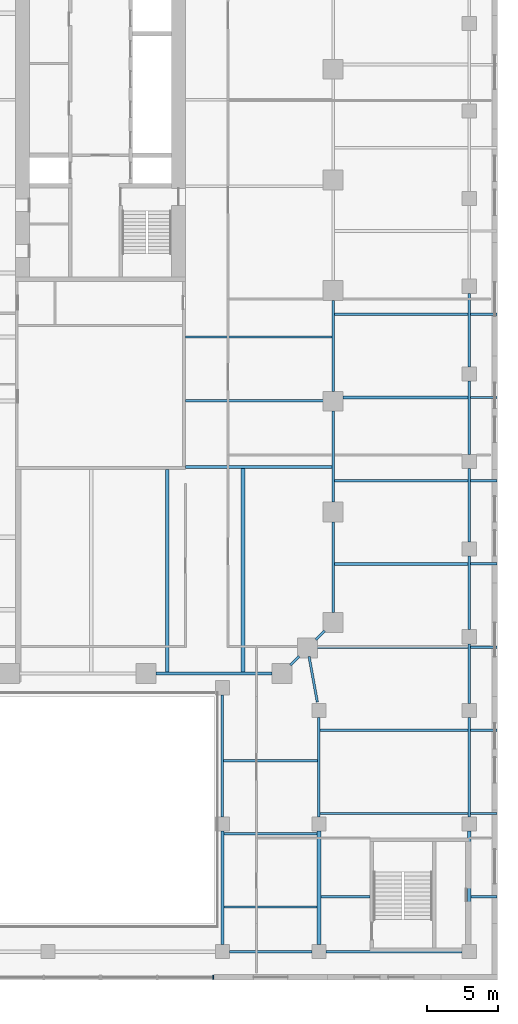
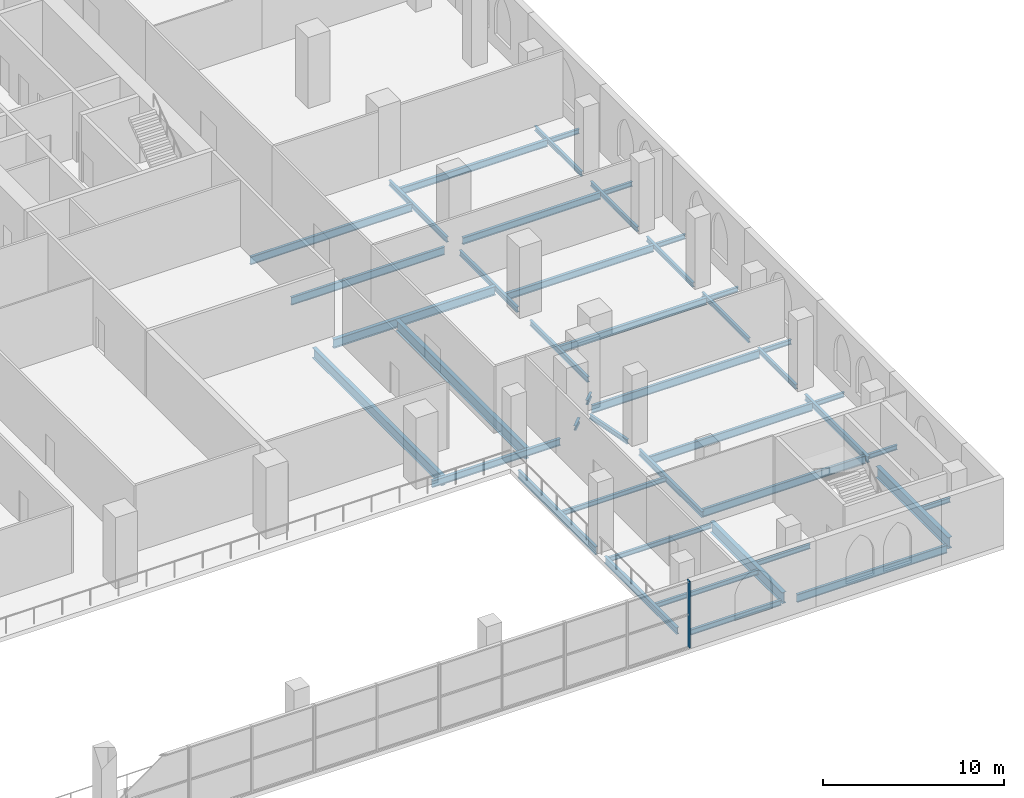
# One storey, part 5 of 19: 44 beams, 1 member, 1 element without a shape of its own.
"""IFC4 building model written with IfcOpenShell, lengths in metres."""

import ifcopenshell
import ifcopenshell.guid

model = None  # the IFC model being written
_history = None  # IfcOwnerHistory: only IFC2X3 demands one
_inside = {}  # id of a spatial element -> (the spatial element, [elements in it])
_under = {}  # id of a project, library or spatial element -> (it, [spatial elements below it])
_declared = {}  # id of a project -> (the project, [libraries it declares])
_typed = {}  # id of a type object -> (the type object, [elements of that type])
_made_of = {}  # id of a material, layer set ... -> (it, [elements and type objects made of it])


def new_model(schema):
    """Start an empty IFC model of exactly this schema.

    Asked for "IFC4X3", IfcOpenShell would pick the latest addendum, in which some entities
    have other attributes; the version numbers below select the first issue.
    IFC2X3 requires an IfcOwnerHistory on every rooted entity: one is made here for all.
    """
    global model, _history
    if schema == "IFC4X3":
        model = ifcopenshell.file(schema_version=(4, 3, 0, 0))
    else:
        model = ifcopenshell.file(schema=schema)
    _inside.clear()
    _under.clear()
    _declared.clear()
    _typed.clear()
    _made_of.clear()
    _history = None
    if model.schema == "IFC2X3":
        org = make("IfcOrganization", Name="unknown")
        user = make(
            "IfcPersonAndOrganization",
            ThePerson=make("IfcPerson", FamilyName="unknown"),
            TheOrganization=org,
        )
        app = make(
            "IfcApplication",
            ApplicationDeveloper=org,
            Version="unknown",
            ApplicationFullName="unknown",
            ApplicationIdentifier="unknown",
        )
        _history = make(
            "IfcOwnerHistory",
            OwningUser=user,
            OwningApplication=app,
            ChangeAction="ADDED",
            CreationDate=0,
        )
    return model


def make(cls, **values):
    """One entity of the class cls with the attributes given. An attribute that is None is left unset."""
    return model.create_entity(
        cls, **{name: value for name, value in values.items() if value is not None}
    )


def rooted(cls, **values):
    """An entity with a GlobalId (a new one), such as an element, a storey or a relation."""
    return make(cls, GlobalId=ifcopenshell.guid.new(), OwnerHistory=_history, **values)


def si_unit(unit_type, name, prefix=None):
    """IfcSIUnit, for example si_unit("LENGTHUNIT", "METRE", prefix="MILLI")."""
    return make("IfcSIUnit", UnitType=unit_type, Prefix=prefix, Name=name)


def assignment(units):
    """IfcUnitAssignment: the units of a project."""
    return None if units is None else make("IfcUnitAssignment", Units=units)


def point(xyz):
    """IfcCartesianPoint."""
    return None if xyz is None else make("IfcCartesianPoint", Coordinates=xyz)


def direction(xyz):
    """IfcDirection."""
    return None if xyz is None else make("IfcDirection", DirectionRatios=xyz)


def frame(location, z_axis=None, x_axis=None):
    """IfcAxis2Placement3D, a coordinate frame: its origin and axes. An axis left out is left unset."""
    return make(
        "IfcAxis2Placement3D",
        Location=point(location),
        Axis=direction(z_axis),
        RefDirection=direction(x_axis),
    )


def frame_2d(location, x_axis=None):
    """IfcAxis2Placement2D, a coordinate frame in the plane: its origin and x axis."""
    return make(
        "IfcAxis2Placement2D", Location=point(location), RefDirection=direction(x_axis)
    )


def origin():
    """The frame at (0, 0, 0) with its axes left unset."""
    return frame((0.0, 0.0, 0.0))


def origin_2d():
    """The frame at (0, 0) in the plane with its x axis left unset."""
    return frame_2d((0.0, 0.0))


def place(relative_to, where):
    """IfcLocalPlacement: puts the frame where relative to a parent placement (None: the world)."""
    return make(
        "IfcLocalPlacement", PlacementRelTo=relative_to, RelativePlacement=where
    )


def context(
    kind, dimensions, precision=None, world=None, true_north=None, identifier=None
):
    """IfcGeometricRepresentationContext, for example the 3D "Model" context."""
    return make(
        "IfcGeometricRepresentationContext",
        ContextIdentifier=identifier,
        ContextType=kind,
        CoordinateSpaceDimension=dimensions,
        Precision=precision,
        WorldCoordinateSystem=world,
        TrueNorth=true_north,
    )


def subcontext(parent, identifier, kind, view, scale=None):
    """IfcGeometricRepresentationSubContext, for example "Body" below "Model"."""
    return make(
        "IfcGeometricRepresentationSubContext",
        ContextIdentifier=identifier,
        ContextType=kind,
        ParentContext=parent,
        TargetScale=scale,
        TargetView=view,
    )


def project(units=None, contexts=None):
    """IfcProject with its units and contexts."""
    return rooted(
        "IfcProject",
        Name="project",
        RepresentationContexts=contexts,
        UnitsInContext=assignment(units),
    )


def spatial(cls, under=None, at=None, **own):
    """A site, building, storey or space (cls), placed at a placement, below another one or the project."""
    s = rooted(cls, ObjectPlacement=at, **own)
    if under is not None:
        _under.setdefault(under.id(), (under, []))[1].append(s)
    return s


def profile(cls, at=None, kind="AREA", **sizes):
    """A parametric profile (cls). Its sizes go by their IFC names, for example OverallWidth=200.0."""
    return make(cls, ProfileType=kind, Position=at, **sizes)


def rectangle(**sizes):
    """IfcRectangleProfileDef."""
    return profile("IfcRectangleProfileDef", **sizes)


def i_section(**sizes):
    """IfcIShapeProfileDef."""
    return profile("IfcIShapeProfileDef", **sizes)


def extrude(swept, where, along, depth):
    """IfcExtrudedAreaSolid: the profile swept, set in the frame where, extruded along a direction by depth."""
    return make(
        "IfcExtrudedAreaSolid",
        SweptArea=swept,
        Position=where,
        ExtrudedDirection=direction(along),
        Depth=depth,
    )


def shape(context_of_items, identifier, shape_type, items):
    """IfcShapeRepresentation: the items that make up one representation, for example the "Body"."""
    return make(
        "IfcShapeRepresentation",
        ContextOfItems=context_of_items,
        RepresentationIdentifier=identifier,
        RepresentationType=shape_type,
        Items=items,
    )


def material(Name=None, Category=None):
    """IfcMaterial."""
    return make("IfcMaterial", Name=Name, Category=Category)


def material_profile(
    of_material, cross_section, Name=None, Category=None, Priority=None
):
    """IfcMaterialProfile: a cross section and its material."""
    return make(
        "IfcMaterialProfile",
        Name=Name,
        Material=of_material,
        Profile=cross_section,
        Priority=Priority,
        Category=Category,
    )


def profile_set(profiles, Name=None, composite=None):
    """IfcMaterialProfileSet."""
    return make(
        "IfcMaterialProfileSet",
        Name=Name,
        MaterialProfiles=profiles,
        CompositeProfile=composite,
    )


def made_of(thing, what):
    """Note that an element or type object is made of a material, layer set ...; save() writes the relation."""
    if what is not None:
        _made_of.setdefault(what.id(), (what, []))[1].append(thing)
    return thing


def type_object(cls, material=None, **own):
    """A type object (cls), such as IfcWallType, which elements share."""
    return made_of(rooted(cls, **own), material)


def element(
    cls,
    number,
    at=None,
    inside=None,
    cuts=None,
    type_object=None,
    material=None,
    context=None,
    identifier="Body",
    shape_type=None,
    held_by="IfcProductDefinitionShape",
    body=None,
    shapes=None,
    **own,
):
    """One element of the class cls, such as IfcWall. Its Tag is "e" and its number.

    at: its placement. inside: the storey or other place that contains it. cuts: it is an
    opening in that element (IfcRelVoidsElement). A single representation is given by context,
    identifier, shape_type and body (its items); several are given by shapes. held_by: the class
    of the entity that holds the representations. save() writes the other relations.
    """
    e = rooted(cls, Tag="e%d" % number, ObjectPlacement=at, **own)
    if body is not None:
        shapes = [shape(context, identifier, shape_type, body)]
    if shapes is not None:
        e.Representation = make(held_by, Representations=shapes)
    if inside is not None:
        _inside.setdefault(inside.id(), (inside, []))[1].append(e)
    if cuts is not None:
        rooted(
            "IfcRelVoidsElement", RelatingBuildingElement=cuts, RelatedOpeningElement=e
        )
    if type_object is not None:
        _typed.setdefault(type_object.id(), (type_object, []))[1].append(e)
    return made_of(e, material)


def aggregate(whole, parts):
    """IfcRelAggregates: a whole, such as a stair, and the parts it consists of."""
    return rooted("IfcRelAggregates", RelatingObject=whole, RelatedObjects=parts)


def save(model, path):
    """Write the relations noted so far, then the file.

    IfcRelAggregates (storeys below a building ...), IfcRelContainedInSpatialStructure (elements
    in a storey), IfcRelDefinesByType, IfcRelAssociatesMaterial and IfcRelDeclares: one each for
    every whole, place, type object, material and project.
    """
    for whole, parts in _under.values():
        aggregate(whole, parts)
    for where, things in _inside.values():
        rooted(
            "IfcRelContainedInSpatialStructure",
            RelatedElements=things,
            RelatingStructure=where,
        )
    for kind, things in _typed.values():
        rooted("IfcRelDefinesByType", RelatedObjects=things, RelatingType=kind)
    for what, things in _made_of.values():
        rooted("IfcRelAssociatesMaterial", RelatedObjects=things, RelatingMaterial=what)
    for by, libraries in _declared.values():
        rooted("IfcRelDeclares", RelatingContext=by, RelatedDefinitions=libraries)
    model.write(path)


model = new_model("IFC4")

# Units and contexts
model_context = context("Model", 3, precision=1e-05, world=origin(), true_north=direction((0.0, 1.0)))
body_context = subcontext(model_context, "Body", "Model", "MODEL_VIEW")
ifc_project = project(units=[si_unit("LENGTHUNIT", "METRE"), si_unit("AREAUNIT", "SQUARE_METRE"), si_unit("VOLUMEUNIT", "CUBIC_METRE"), si_unit("PLANEANGLEUNIT", "RADIAN"), si_unit("MASSUNIT", "GRAM", prefix="KILO")], contexts=[model_context])

# Site, building, storey
site_placement = place(None, origin())
site = spatial("IfcSite", under=ifc_project, at=site_placement, CompositionType="ELEMENT")
building_placement = place(site_placement, origin())
building = spatial("IfcBuilding", under=site, at=building_placement, Name="Ogive Exchange Tower", CompositionType="ELEMENT")
storey_placement = place(building_placement, frame((0.0, 0.0, 19.199951171875)))
storey = spatial("IfcBuildingStorey", under=building, at=storey_placement, Name="L03", CompositionType="ELEMENT", Elevation=19.199951171875)

# Beams
ifc_material_1 = material(Name="Steel ASTM A992 Gr50", Category="steel")
ifc_material_profile_1 = material_profile(ifc_material_1, i_section(OverallWidth=0.1650390625, OverallDepth=0.31005859375, WebThickness=0.005859375, FlangeThickness=0.009765625, at=origin_2d()), Name="W310x38.7")
ifc_profile_set_1 = profile_set([ifc_material_profile_1], Name="Steel ASTM A992 Gr50")
beam_type_1 = type_object("IfcBeamType", Name="Floor beam W310x38.7", PredefinedType="JOIST", material=ifc_profile_set_1)
beam_1_placement = place(storey_placement, frame((31.533447265625, -46.13330078125, -0.454833984375), z_axis=(1.0, 0.0, 0.0), x_axis=(0.0, 1.0, 0.0)))
element("IfcBeam", 1, at=beam_1_placement, inside=storey, type_object=beam_type_1, Name="Floor beam", PredefinedType="JOIST", context=body_context, shape_type="SweptSolid", body=[
    extrude(i_section(OverallWidth=0.1650390625, OverallDepth=0.31005859375, WebThickness=0.005859375, FlangeThickness=0.009765625, at=origin_2d()), origin(), (0.0, 0.0, 1.0), 3.466552734375),
])
beam_2_placement = place(storey_placement, frame((42.133544921875, -46.13330078125, -0.454833984375), z_axis=(1.0, 0.0, 0.0), x_axis=(0.0, 1.0, 0.0)))
element("IfcBeam", 2, at=beam_2_placement, inside=storey, type_object=beam_type_1, Name="Floor beam", PredefinedType="JOIST", context=body_context, shape_type="SweptSolid", body=[
    extrude(i_section(OverallWidth=0.1650390625, OverallDepth=0.31005859375, WebThickness=0.005859375, FlangeThickness=0.009765625, at=origin_2d()), origin(), (0.0, 0.0, 1.0), 1.81640625),
])
for number, where, z_axis, x_axis, name in (
    (3, (42.089111328125, -40.2666015625, -0.454833984375), (1.0, 0.0, 0.0), (0.0, 1.0, 0.0), "Floor beam"),
    (4, (42.089111328125, -34.39990234375, -0.454833984375), (1.0, 0.0, 0.0), (0.0, 1.0, 0.0), "Floor beam"),
):
    element("IfcBeam", number, at=place(storey_placement, frame(where, z_axis=z_axis, x_axis=x_axis)), inside=storey, type_object=beam_type_1, Name=name, PredefinedType="JOIST", context=body_context, shape_type="SweptSolid", body=[
        extrude(i_section(OverallWidth=0.1650390625, OverallDepth=0.31005859375, WebThickness=0.005859375, FlangeThickness=0.009765625, at=origin_2d()), origin(), (0.0, 0.0, 1.0), 1.86083984375),
    ])
for number, where, z_axis, x_axis, name in (
    (5, (42.08251953125, -28.533203125, -0.454833984375), (1.0, 0.0, 0.0), (0.0, 1.0, 0.0), "Floor beam"),
    (6, (42.08251953125, -22.666748046875, -0.454833984375), (1.0, 0.0, 0.0), (0.0, 1.0, 0.0), "Floor beam"),
    (7, (42.08251953125, -16.800048828125, -0.454833984375), (1.0, 0.0, 0.0), (0.0, 1.0, 0.0), "Floor beam"),
    (8, (42.08251953125, -10.933349609375, -0.454833984375), (1.0, 0.0, 0.0), (0.0, 1.0, 0.0), "Floor beam"),
    (9, (42.08251953125, -5.066650390625, -0.454833984375), (1.0, 0.0, 0.0), (0.0, 1.0, 0.0), "Floor beam"),
):
    element("IfcBeam", number, at=place(storey_placement, frame(where, z_axis=z_axis, x_axis=x_axis)), inside=storey, type_object=beam_type_1, Name=name, PredefinedType="JOIST", context=body_context, shape_type="SweptSolid", body=[
        extrude(i_section(OverallWidth=0.1650390625, OverallDepth=0.31005859375, WebThickness=0.005859375, FlangeThickness=0.009765625, at=origin_2d()), origin(), (0.0, 0.0, 1.0), 1.867431640625),
    ])
for number, where, z_axis, x_axis, name in (
    (10, (24.695556640625, -46.85009765625, -0.454833984375), (1.0, 0.0, 0.0), (0.0, 1.0, 0.0), "Floor beam"),
    (11, (24.695556640625, -41.699951171875, -0.454833984375), (1.0, 0.0, 0.0), (0.0, 1.0, 0.0), "Floor beam"),
):
    element("IfcBeam", number, at=place(storey_placement, frame(where, z_axis=z_axis, x_axis=x_axis)), inside=storey, type_object=beam_type_1, Name=name, PredefinedType="JOIST", context=body_context, shape_type="SweptSolid", body=[
        extrude(i_section(OverallWidth=0.1650390625, OverallDepth=0.31005859375, WebThickness=0.005859375, FlangeThickness=0.009765625, at=origin_2d()), origin(), (0.0, 0.0, 1.0), 6.571044921875),
    ])
beam_3_placement = place(storey_placement, frame((24.68359375, -36.550048828125, -0.454833984375), z_axis=(1.0, 0.0, 0.0), x_axis=(0.0, 1.0, 0.0)))
element("IfcBeam", 12, at=beam_3_placement, inside=storey, type_object=beam_type_1, Name="Floor beam", PredefinedType="JOIST", context=body_context, shape_type="SweptSolid", body=[
    extrude(i_section(OverallWidth=0.1650390625, OverallDepth=0.31005859375, WebThickness=0.005859375, FlangeThickness=0.009765625, at=origin_2d()), origin(), (0.0, 0.0, 1.0), 6.62744140625),
])
ifc_material_profile_2 = material_profile(ifc_material_1, i_section(OverallWidth=0.19091796875, OverallDepth=0.45703125, WebThickness=0.009033203125, FlangeThickness=0.014404296875, at=origin_2d()), Name="W460x74")
ifc_profile_set_2 = profile_set([ifc_material_profile_2], Name="Steel ASTM A992 Gr50")
beam_type_2 = type_object("IfcBeamType", Name="Floor beam W460x74", PredefinedType="JOIST", material=ifc_profile_set_2)
for number, where, z_axis, x_axis, name in (
    (13, (32.485595703125, -22.666748046875, -0.528564453125), (1.0, 0.0, 0.0), (0.0, 1.0, 0.0), "Floor beam"),
    (14, (32.485595703125, -16.800048828125, -0.528564453125), (1.0, 0.0, 0.0), (0.0, 1.0, 0.0), "Floor beam"),
):
    element("IfcBeam", number, at=place(storey_placement, frame(where, z_axis=z_axis, x_axis=x_axis)), inside=storey, type_object=beam_type_2, Name=name, PredefinedType="JOIST", context=body_context, shape_type="SweptSolid", body=[
        extrude(i_section(OverallWidth=0.19091796875, OverallDepth=0.45703125, WebThickness=0.009033203125, FlangeThickness=0.014404296875, at=origin_2d()), origin(), (0.0, 0.0, 1.0), 9.431884765625),
    ])
beam_4_placement = place(storey_placement, frame((33.10009765625, -10.933349609375, -0.528564453125), z_axis=(1.0, 0.0, 0.0), x_axis=(0.0, 1.0, 0.0)))
element("IfcBeam", 15, at=beam_4_placement, inside=storey, type_object=beam_type_2, Name="Floor beam", PredefinedType="JOIST", context=body_context, shape_type="SweptSolid", body=[
    extrude(i_section(OverallWidth=0.19091796875, OverallDepth=0.45703125, WebThickness=0.009033203125, FlangeThickness=0.014404296875, at=origin_2d()), origin(), (0.0, 0.0, 1.0), 8.8173828125),
])
beam_5_placement = place(storey_placement, frame((32.485595703125, -5.066650390625, -0.528564453125), z_axis=(1.0, 0.0, 0.0), x_axis=(0.0, 1.0, 0.0)))
element("IfcBeam", 16, at=beam_5_placement, inside=storey, type_object=beam_type_2, Name="Floor beam", PredefinedType="JOIST", context=body_context, shape_type="SweptSolid", body=[
    extrude(i_section(OverallWidth=0.19091796875, OverallDepth=0.45703125, WebThickness=0.009033203125, FlangeThickness=0.014404296875, at=origin_2d()), origin(), (0.0, 0.0, 1.0), 9.431884765625),
])
ifc_material_profile_3 = material_profile(ifc_material_1, i_section(OverallWidth=0.1669921875, OverallDepth=0.535888671875, WebThickness=0.01025390625, FlangeThickness=0.0166015625, at=origin_2d()), Name="W530x85")
ifc_profile_set_3 = profile_set([ifc_material_profile_3], Name="Steel ASTM A992 Gr50")
beam_type_3 = type_object("IfcBeamType", Name="Floor beam W530x85", PredefinedType="JOIST", material=ifc_profile_set_3)
beam_6_placement = place(storey_placement, frame((22.0, -11.17822265625, -0.56787109375), z_axis=(1.0, 0.0, 0.0), x_axis=(0.0, 1.0, 0.0)))
element("IfcBeam", 17, at=beam_6_placement, inside=storey, type_object=beam_type_3, Name="Floor beam", PredefinedType="JOIST", context=body_context, shape_type="SweptSolid", body=[
    extrude(i_section(OverallWidth=0.1669921875, OverallDepth=0.535888671875, WebThickness=0.01025390625, FlangeThickness=0.0166015625, at=origin_2d()), origin(), (0.0, 0.0, 1.0), 9.800048828125),
])
beam_7_placement = place(storey_placement, frame((22.0, -6.666748046875, -0.56787109375), z_axis=(1.0, 0.0, 0.0), x_axis=(0.0, 1.0, 0.0)))
element("IfcBeam", 18, at=beam_7_placement, inside=storey, type_object=beam_type_3, Name="Floor beam", PredefinedType="JOIST", context=body_context, shape_type="SweptSolid", body=[
    extrude(i_section(OverallWidth=0.1669921875, OverallDepth=0.535888671875, WebThickness=0.01025390625, FlangeThickness=0.0166015625, at=origin_2d()), origin(), (0.0, 0.0, 1.0), 10.344970703125),
])
for number, where, z_axis, x_axis, name in (
    (19, (31.489013671875, -40.2666015625, -0.56787109375), (1.0, 0.0, 0.0), (0.0, 1.0, 0.0), "Floor beam"),
    (20, (31.489013671875, -34.39990234375, -0.56787109375), (1.0, 0.0, 0.0), (0.0, 1.0, 0.0), "Floor beam"),
):
    element("IfcBeam", number, at=place(storey_placement, frame(where, z_axis=z_axis, x_axis=x_axis)), inside=storey, type_object=beam_type_3, Name=name, PredefinedType="JOIST", context=body_context, shape_type="SweptSolid", body=[
        extrude(i_section(OverallWidth=0.1669921875, OverallDepth=0.535888671875, WebThickness=0.01025390625, FlangeThickness=0.0166015625, at=origin_2d()), origin(), (0.0, 0.0, 1.0), 10.421875),
    ])
beam_8_placement = place(storey_placement, frame((31.199951171875, -28.533203125, -0.56787109375), z_axis=(1.0, 0.0, 0.0), x_axis=(0.0, 1.0, 0.0)))
element("IfcBeam", 21, at=beam_8_placement, inside=storey, type_object=beam_type_3, Name="Floor beam", PredefinedType="JOIST", context=body_context, shape_type="SweptSolid", body=[
    extrude(i_section(OverallWidth=0.1669921875, OverallDepth=0.535888671875, WebThickness=0.01025390625, FlangeThickness=0.0166015625, at=origin_2d()), origin(), (0.0, 0.0, 1.0), 10.717529296875),
])
ifc_material_profile_4 = material_profile(ifc_material_1, i_section(OverallWidth=0.25390625, OverallDepth=0.68310546875, WebThickness=0.012451171875, FlangeThickness=0.018798828125, at=origin_2d()), Name="W690x140")
ifc_profile_set_4 = profile_set([ifc_material_profile_4], Name="Steel ASTM A992 Gr50")
beam_type_4 = type_object("IfcBeamType", Name="Floor beam W690x140", PredefinedType="JOIST", material=ifc_profile_set_4)
beam_9_placement = place(storey_placement, frame((20.699951171875, -30.304443359375, -0.641357421875), z_axis=(0.0, 1.0, 0.0), x_axis=(-1.0, 0.0, 0.0)))
element("IfcBeam", 22, at=beam_9_placement, inside=storey, type_object=beam_type_4, Name="Floor beam", PredefinedType="JOIST", context=body_context, shape_type="SweptSolid", body=[
    extrude(i_section(OverallWidth=0.25390625, OverallDepth=0.68310546875, WebThickness=0.012451171875, FlangeThickness=0.018798828125, at=origin_2d()), origin(), (0.0, 0.0, 1.0), 14.304443359375),
])
ifc_material_profile_5 = material_profile(ifc_material_1, i_section(OverallWidth=0.26708984375, OverallDepth=0.75390625, WebThickness=0.01318359375, FlangeThickness=0.01708984375, at=origin_2d()), Name="W760x147")
ifc_profile_set_5 = profile_set([ifc_material_profile_5], Name="Steel ASTM A992 Gr50")
beam_type_5 = type_object("IfcBeamType", Name="Floor beam W760x147", PredefinedType="JOIST", material=ifc_profile_set_5)
beam_10_placement = place(storey_placement, frame((26.050048828125, -30.304443359375, -0.677001953125), z_axis=(0.0, 1.0, 0.0), x_axis=(-1.0, 0.0, 0.0)))
element("IfcBeam", 23, at=beam_10_placement, inside=storey, type_object=beam_type_5, Name="Floor beam", PredefinedType="JOIST", context=body_context, shape_type="SweptSolid", body=[
    extrude(i_section(OverallWidth=0.26708984375, OverallDepth=0.75390625, WebThickness=0.01318359375, FlangeThickness=0.01708984375, at=origin_2d()), origin(), (0.0, 0.0, 1.0), 14.345458984375),
])

# Curtain wall, member
ifc_material_2 = material(Name="Anodised aluminium and clear glass", Category="aluminium")
curtain_wall_type = type_object("IfcCurtainWallType", Name="Galleria end wall glazing", PredefinedType="NOTDEFINED", material=ifc_material_2)
curtain_wall_placement = place(storey_placement, origin())
curtain_wall = element("IfcCurtainWall", 24, at=curtain_wall_placement, inside=storey, type_object=curtain_wall_type, Name="Galleria end wall glazing run GE9", PredefinedType="NOTDEFINED")
ifc_material_3 = material(Name="Anodised aluminium", Category="aluminium")
ifc_material_profile_6 = material_profile(ifc_material_3, rectangle(XDim=0.260009765625, YDim=0.080078125, at=origin_2d()), Name="AL 80x260")
ifc_profile_set_6 = profile_set([ifc_material_profile_6], Name="Anodised aluminium")
member_type = type_object("IfcMemberType", Name="Galleria end wall glazing mullion 80 x 260", PredefinedType="MULLION", material=ifc_profile_set_6)
member_placement = place(storey_placement, frame((23.9599609375, -51.800048828125, 0.0), z_axis=(0.0, 0.0, 1.0), x_axis=(0.0, 1.0, 0.0)))
member = element("IfcMember", 25, at=member_placement, type_object=member_type, Name="GE9 mullion 3", PredefinedType="MULLION", context=body_context, shape_type="SweptSolid", body=[
    extrude(rectangle(XDim=0.260009765625, YDim=0.080078125, at=origin_2d()), origin(), (0.0, 0.0, 1.0), 4.5),
])
aggregate(curtain_wall, [member])

# Beams
ifc_material_profile_7 = material_profile(ifc_material_1, i_section(OverallWidth=0.1650390625, OverallDepth=0.31005859375, WebThickness=0.005859375, FlangeThickness=0.009765625, at=origin_2d()), Name="W310x38.7")
ifc_profile_set_7 = profile_set([ifc_material_profile_7], Name="Steel ASTM A992 Gr50")
beam_type_6 = type_object("IfcBeamType", Name="Girder W310x38.7", PredefinedType="BEAM", material=ifc_profile_set_7)
for number, where, z_axis, x_axis, name in (
    (26, (29.39404296875, -29.805908203125, -0.454833984375), (0.707247821729, 0.706965712506, 0.0), (-0.706965712506, 0.707247821729, 0.0), "Girder"),
    (27, (31.194091796875, -28.006103515625, -0.454833984375), (0.706965712506, 0.707247821729, 0.0), (-0.707247821729, 0.706965712506, 0.0), "Girder"),
):
    element("IfcBeam", number, at=place(storey_placement, frame(where, z_axis=z_axis, x_axis=x_axis)), inside=storey, type_object=beam_type_6, Name=name, PredefinedType="BEAM", context=body_context, shape_type="SweptSolid", body=[
        extrude(i_section(OverallWidth=0.1650390625, OverallDepth=0.31005859375, WebThickness=0.005859375, FlangeThickness=0.009765625, at=origin_2d()), origin(), (0.0, 0.0, 1.0), 0.865478515625),
    ])
beam_11_placement = place(storey_placement, frame((31.292724609375, -32.40966796875, -0.454833984375), z_axis=(-0.178911700404, 0.983865134792, 0.0), x_axis=(-0.983865134792, -0.178911700404, 0.0)))
element("IfcBeam", 28, at=beam_11_placement, inside=storey, type_object=beam_type_6, Name="Girder", PredefinedType="BEAM", context=body_context, shape_type="SweptSolid", body=[
    extrude(i_section(OverallWidth=0.1650390625, OverallDepth=0.31005859375, WebThickness=0.005859375, FlangeThickness=0.009765625, at=origin_2d()), origin(), (0.0, 0.0, 1.0), 3.272216796875),
])
beam_12_placement = place(storey_placement, frame((42.0, -32.5, -0.454833984375), z_axis=(0.0, 1.0, 0.0), x_axis=(-1.0, 0.0, 0.0)))
element("IfcBeam", 29, at=beam_12_placement, inside=storey, type_object=beam_type_6, Name="Girder", PredefinedType="BEAM", context=body_context, shape_type="SweptSolid", body=[
    extrude(i_section(OverallWidth=0.1650390625, OverallDepth=0.31005859375, WebThickness=0.005859375, FlangeThickness=0.009765625, at=origin_2d()), origin(), (0.0, 0.0, 1.0), 4.199951171875),
])
beam_13_placement = place(storey_placement, frame((42.0, -27.300048828125, -0.454833984375), z_axis=(0.0, 1.0, 0.0), x_axis=(-1.0, 0.0, 0.0)))
element("IfcBeam", 30, at=beam_13_placement, inside=storey, type_object=beam_type_6, Name="Girder", PredefinedType="BEAM", context=body_context, shape_type="SweptSolid", body=[
    extrude(i_section(OverallWidth=0.1650390625, OverallDepth=0.31005859375, WebThickness=0.005859375, FlangeThickness=0.009765625, at=origin_2d()), origin(), (0.0, 0.0, 1.0), 5.179931640625),
])
beam_14_placement = place(storey_placement, frame((42.0, -21.1201171875, -0.454833984375), z_axis=(0.0, 1.0, 0.0), x_axis=(-1.0, 0.0, 0.0)))
element("IfcBeam", 31, at=beam_14_placement, inside=storey, type_object=beam_type_6, Name="Girder", PredefinedType="BEAM", context=body_context, shape_type="SweptSolid", body=[
    extrude(i_section(OverallWidth=0.1650390625, OverallDepth=0.31005859375, WebThickness=0.005859375, FlangeThickness=0.009765625, at=origin_2d()), origin(), (0.0, 0.0, 1.0), 5.18017578125),
])
beam_15_placement = place(storey_placement, frame((42.0, -14.93994140625, -0.454833984375), z_axis=(0.0, 1.0, 0.0), x_axis=(-1.0, 0.0, 0.0)))
element("IfcBeam", 32, at=beam_15_placement, inside=storey, type_object=beam_type_6, Name="Girder", PredefinedType="BEAM", context=body_context, shape_type="SweptSolid", body=[
    extrude(i_section(OverallWidth=0.1650390625, OverallDepth=0.31005859375, WebThickness=0.005859375, FlangeThickness=0.009765625, at=origin_2d()), origin(), (0.0, 0.0, 1.0), 5.169921875),
])
beam_16_placement = place(storey_placement, frame((42.0, -8.77001953125, -0.454833984375), z_axis=(0.0, 1.0, 0.0), x_axis=(-1.0, 0.0, 0.0)))
element("IfcBeam", 33, at=beam_16_placement, inside=storey, type_object=beam_type_6, Name="Girder", PredefinedType="BEAM", context=body_context, shape_type="SweptSolid", body=[
    extrude(i_section(OverallWidth=0.1650390625, OverallDepth=0.31005859375, WebThickness=0.005859375, FlangeThickness=0.009765625, at=origin_2d()), origin(), (0.0, 0.0, 1.0), 5.179931640625),
])
ifc_material_profile_8 = material_profile(ifc_material_1, i_section(OverallWidth=0.1708984375, OverallDepth=0.35595703125, WebThickness=0.00732421875, FlangeThickness=0.01171875, at=origin_2d()), Name="W360x51")
ifc_profile_set_8 = profile_set([ifc_material_profile_8], Name="Steel ASTM A992 Gr50")
beam_type_7 = type_object("IfcBeamType", Name="Girder W360x51", PredefinedType="BEAM", material=ifc_profile_set_8)
for number, where, z_axis, x_axis, name in (
    (34, (32.39990234375, -26.10009765625, -0.47802734375), (0.0, 1.0, 0.0), (-1.0, 0.0, 0.0), "Girder"),
    (35, (32.39990234375, -18.300048828125, -0.47802734375), (0.0, 1.0, 0.0), (-1.0, 0.0, 0.0), "Girder"),
):
    element("IfcBeam", number, at=place(storey_placement, frame(where, z_axis=z_axis, x_axis=x_axis)), inside=storey, type_object=beam_type_7, Name=name, PredefinedType="BEAM", context=body_context, shape_type="SweptSolid", body=[
        extrude(i_section(OverallWidth=0.1708984375, OverallDepth=0.35595703125, WebThickness=0.00732421875, FlangeThickness=0.01171875, at=origin_2d()), origin(), (0.0, 0.0, 1.0), 6.400146484375),
    ])
beam_17_placement = place(storey_placement, frame((32.39990234375, -10.5, -0.47802734375), z_axis=(0.0, 1.0, 0.0), x_axis=(-1.0, 0.0, 0.0)))
element("IfcBeam", 36, at=beam_17_placement, inside=storey, type_object=beam_type_7, Name="Girder", PredefinedType="BEAM", context=body_context, shape_type="SweptSolid", body=[
    extrude(i_section(OverallWidth=0.1708984375, OverallDepth=0.35595703125, WebThickness=0.00732421875, FlangeThickness=0.01171875, at=origin_2d()), origin(), (0.0, 0.0, 1.0), 6.39990234375),
])
beam_18_placement = place(storey_placement, frame((25.10009765625, -50.0, -0.47802734375), z_axis=(1.0, 0.0, 0.0), x_axis=(0.0, 1.0, 0.0)))
element("IfcBeam", 37, at=beam_18_placement, inside=storey, type_object=beam_type_7, Name="Girder", PredefinedType="BEAM", context=body_context, shape_type="SweptSolid", body=[
    extrude(i_section(OverallWidth=0.1708984375, OverallDepth=0.35595703125, WebThickness=0.00732421875, FlangeThickness=0.01171875, at=origin_2d()), origin(), (0.0, 0.0, 1.0), 5.7998046875),
])
ifc_material_profile_9 = material_profile(ifc_material_1, i_section(OverallWidth=0.177978515625, OverallDepth=0.406005859375, WebThickness=0.0078125, FlangeThickness=0.0126953125, at=origin_2d()), Name="W410x60")
ifc_profile_set_9 = profile_set([ifc_material_profile_9], Name="Steel ASTM A992 Gr50")
beam_type_8 = type_object("IfcBeamType", Name="Girder W410x60", PredefinedType="BEAM", material=ifc_profile_set_9)
for number, where, z_axis, x_axis, name in (
    (38, (31.39990234375, -40.5, -0.5029296875), (0.0, 1.0, 0.0), (-1.0, 0.0, 0.0), "Girder"),
    (39, (42.0, -40.5, -0.5029296875), (0.0, 1.0, 0.0), (-1.0, 0.0, 0.0), "Girder"),
):
    element("IfcBeam", number, at=place(storey_placement, frame(where, z_axis=z_axis, x_axis=x_axis)), inside=storey, type_object=beam_type_8, Name=name, PredefinedType="BEAM", context=body_context, shape_type="SweptSolid", body=[
        extrude(i_section(OverallWidth=0.177978515625, OverallDepth=0.406005859375, WebThickness=0.0078125, FlangeThickness=0.0126953125, at=origin_2d()), origin(), (0.0, 0.0, 1.0), 7.0),
    ])
ifc_material_profile_10 = material_profile(ifc_material_1, i_section(OverallWidth=0.19091796875, OverallDepth=0.45703125, WebThickness=0.009033203125, FlangeThickness=0.014404296875, at=origin_2d()), Name="W460x74")
ifc_profile_set_10 = profile_set([ifc_material_profile_10], Name="Steel ASTM A992 Gr50")
beam_type_9 = type_object("IfcBeamType", Name="Girder W460x74", PredefinedType="BEAM", material=ifc_profile_set_10)
beam_19_placement = place(storey_placement, frame((19.89990234375, -30.39990234375, -0.528564453125), z_axis=(1.0, 0.0, 0.0), x_axis=(0.0, 1.0, 0.0)))
element("IfcBeam", 40, at=beam_19_placement, inside=storey, type_object=beam_type_9, Name="Girder", PredefinedType="BEAM", context=body_context, shape_type="SweptSolid", body=[
    extrude(i_section(OverallWidth=0.19091796875, OverallDepth=0.45703125, WebThickness=0.009033203125, FlangeThickness=0.014404296875, at=origin_2d()), origin(), (0.0, 0.0, 1.0), 8.2001953125),
])
beam_20_placement = place(storey_placement, frame((24.60009765625, -49.5, -0.528564453125), z_axis=(0.0, 1.0, 0.0), x_axis=(-1.0, 0.0, 0.0)))
element("IfcBeam", 41, at=beam_20_placement, inside=storey, type_object=beam_type_9, Name="Girder", PredefinedType="BEAM", context=body_context, shape_type="SweptSolid", body=[
    extrude(i_section(OverallWidth=0.19091796875, OverallDepth=0.45703125, WebThickness=0.009033203125, FlangeThickness=0.014404296875, at=origin_2d()), origin(), (0.0, 0.0, 1.0), 8.0),
])
ifc_material_profile_11 = material_profile(ifc_material_1, i_section(OverallWidth=0.1669921875, OverallDepth=0.535888671875, WebThickness=0.01025390625, FlangeThickness=0.0166015625, at=origin_2d()), Name="W530x85")
ifc_profile_set_11 = profile_set([ifc_material_profile_11], Name="Steel ASTM A992 Gr50")
beam_type_10 = type_object("IfcBeamType", Name="Girder W530x85", PredefinedType="BEAM", material=ifc_profile_set_11)
beam_21_placement = place(storey_placement, frame((24.60009765625, -40.5, -0.56787109375), z_axis=(0.0, 1.0, 0.0), x_axis=(-1.0, 0.0, 0.0)))
element("IfcBeam", 42, at=beam_21_placement, inside=storey, type_object=beam_type_10, Name="Girder", PredefinedType="BEAM", context=body_context, shape_type="SweptSolid", body=[
    extrude(i_section(OverallWidth=0.1669921875, OverallDepth=0.535888671875, WebThickness=0.01025390625, FlangeThickness=0.0166015625, at=origin_2d()), origin(), (0.0, 0.0, 1.0), 8.60009765625),
])
beam_22_placement = place(storey_placement, frame((31.89990234375, -50.0, -0.56787109375), z_axis=(1.0, 0.0, 0.0), x_axis=(0.0, 1.0, 0.0)))
element("IfcBeam", 43, at=beam_22_placement, inside=storey, type_object=beam_type_10, Name="Girder", PredefinedType="BEAM", context=body_context, shape_type="SweptSolid", body=[
    extrude(i_section(OverallWidth=0.1669921875, OverallDepth=0.535888671875, WebThickness=0.01025390625, FlangeThickness=0.0166015625, at=origin_2d()), origin(), (0.0, 0.0, 1.0), 9.60009765625),
])
ifc_material_profile_12 = material_profile(ifc_material_1, i_section(OverallWidth=0.22802734375, OverallDepth=0.60205078125, WebThickness=0.010498046875, FlangeThickness=0.014892578125, at=origin_2d()), Name="W610x101")
ifc_profile_set_12 = profile_set([ifc_material_profile_12], Name="Steel ASTM A992 Gr50")
beam_type_11 = type_object("IfcBeamType", Name="Girder W610x101", PredefinedType="BEAM", material=ifc_profile_set_12)
beam_23_placement = place(storey_placement, frame((22.0, -15.844970703125, -0.600830078125), z_axis=(1.0, 0.0, 0.0), x_axis=(0.0, 1.0, 0.0)))
element("IfcBeam", 44, at=beam_23_placement, inside=storey, type_object=beam_type_11, Name="Header girder", PredefinedType="BEAM", context=body_context, shape_type="SweptSolid", body=[
    extrude(i_section(OverallWidth=0.22802734375, OverallDepth=0.60205078125, WebThickness=0.010498046875, FlangeThickness=0.014892578125, at=origin_2d()), origin(), (0.0, 0.0, 1.0), 10.344970703125),
])
ifc_material_profile_13 = material_profile(ifc_material_1, i_section(OverallWidth=0.26708984375, OverallDepth=0.75390625, WebThickness=0.01318359375, FlangeThickness=0.01708984375, at=origin_2d()), Name="W760x147")
ifc_profile_set_13 = profile_set([ifc_material_profile_13], Name="Steel ASTM A992 Gr50")
beam_type_12 = type_object("IfcBeamType", Name="Girder W760x147", PredefinedType="BEAM", material=ifc_profile_set_13)
for number, where, z_axis, x_axis, name in (
    (45, (31.39990234375, -49.5, -0.677001953125), (0.0, 1.0, 0.0), (-1.0, 0.0, 0.0), "Girder"),
    (46, (42.0, -49.5, -0.677001953125), (0.0, 1.0, 0.0), (-1.0, 0.0, 0.0), "Girder"),
):
    element("IfcBeam", number, at=place(storey_placement, frame(where, z_axis=z_axis, x_axis=x_axis)), inside=storey, type_object=beam_type_12, Name=name, PredefinedType="BEAM", context=body_context, shape_type="SweptSolid", body=[
        extrude(i_section(OverallWidth=0.26708984375, OverallDepth=0.75390625, WebThickness=0.01318359375, FlangeThickness=0.01708984375, at=origin_2d()), origin(), (0.0, 0.0, 1.0), 8.0),
    ])

save(model, "model.ifc")
